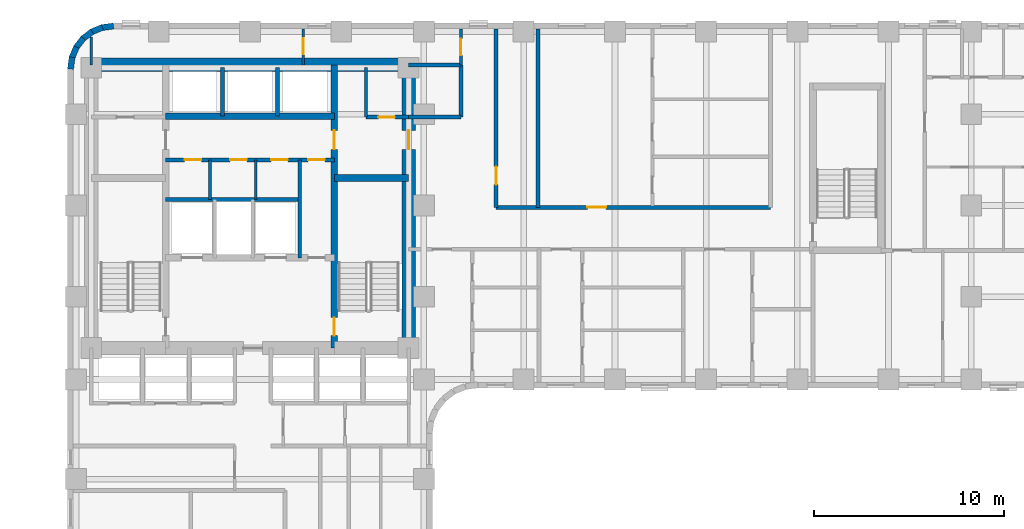
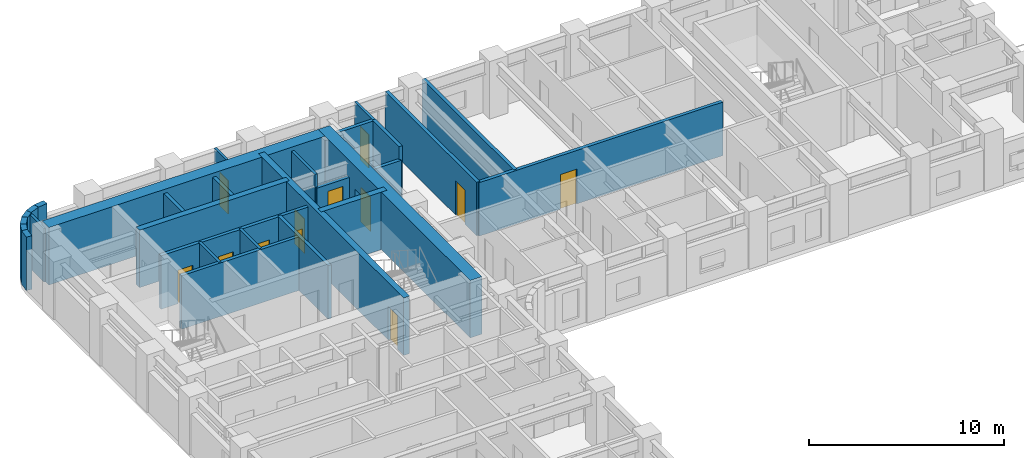
# One storey, part 6 of 11: 29 walls, 12 doors, 12 openings.
"""IFC4 building model written with IfcOpenShell, lengths in metres."""

from ifc_helpers import new_model, si_unit, direction, frame, frame_2d, origin, place, context, subcontext, project, spatial, rectangle, extrude, material, layer, layer_set, type_object, element, fill, save


model = new_model("IFC4")

# Units and contexts
model_context = context("Model", 3, precision=1e-05, world=origin(), true_north=direction((0.0, 1.0)))
body_context = subcontext(model_context, "Body", "Model", "MODEL_VIEW")
ifc_project = project(units=[si_unit("LENGTHUNIT", "METRE"), si_unit("AREAUNIT", "SQUARE_METRE"), si_unit("VOLUMEUNIT", "CUBIC_METRE"), si_unit("PLANEANGLEUNIT", "RADIAN"), si_unit("MASSUNIT", "GRAM", prefix="KILO")], contexts=[model_context])

# Site, building, storey
site_placement = place(None, origin())
site = spatial("IfcSite", under=ifc_project, at=site_placement, CompositionType="ELEMENT")
building_placement = place(site_placement, origin())
building = spatial("IfcBuilding", under=site, at=building_placement, Name="Orvandelia Arch Residences", CompositionType="ELEMENT")
storey_placement = place(building_placement, frame((0.0, 0.0, 53.800048828125)))
storey = spatial("IfcBuildingStorey", under=building, at=storey_placement, Name="L13", CompositionType="ELEMENT", Elevation=53.800048828125)

# Wall, openings, doors
ifc_material_1 = material(Name="Concrete C50/60", Category="concrete")
ifc_layer_1 = layer(ifc_material_1, 0.35009765625, Name="Concrete C50/60", Category="concrete")
ifc_layer_set_1 = layer_set([ifc_layer_1], Name="Concrete C50/60")
wall_type_1 = type_object("IfcWallType", Name="WL-CORE-350", PredefinedType="SHEAR", material=ifc_layer_set_1)
wall_1_placement = place(storey_placement, frame((18.840087890625, 30.89990234375, 0.0), z_axis=(0.0, 0.0, 1.0), x_axis=(0.0, 1.0, 0.0)))
wall_1 = element("IfcWall", 1, at=wall_1_placement, inside=storey, type_object=wall_type_1, Name="Core Shear Wall L13-WEB2", PredefinedType="SHEAR", context=body_context, shape_type="SweptSolid", body=[
    extrude(rectangle(XDim=14.900146484375, YDim=0.35009765625, at=frame_2d((7.4501953125, 0.0))), origin(), (0.0, 0.0, 1.0), 3.599853515625),
])
opening_1_placement = place(wall_1_placement, frame((0.64990234375, 0.0, 0.0)))
opening_1 = element("IfcOpeningElement", 2, at=opening_1_placement, cuts=wall_1, Name="Opening D7", PredefinedType="OPENING", context=body_context, shape_type="SweptSolid", body=[
    extrude(rectangle(XDim=0.949951171875, YDim=2.10009765625, at=frame_2d((0.47509765625, 1.050048828125))), frame((0.0, 0.18505859375, 0.0), z_axis=(0.0, -1.0, 0.0), x_axis=(1.0, 0.0, 0.0)), (0.0, 0.0, 1.0), 0.3701171875),
])
opening_2_placement = place(wall_1_placement, frame((10.449951171875, 0.0, 0.0)))
opening_2 = element("IfcOpeningElement", 3, at=opening_2_placement, cuts=wall_1, Name="Opening D6", PredefinedType="OPENING", context=body_context, shape_type="SweptSolid", body=[
    extrude(rectangle(XDim=1.0, YDim=2.14990234375, at=frame_2d((0.5, 1.074951171875))), frame((0.0, 0.18505859375, 0.0), z_axis=(0.0, -1.0, 0.0), x_axis=(1.0, 0.0, 0.0)), (0.0, 0.0, 1.0), 0.3701171875),
])
ifc_material_2 = material(Name="Smokeproof Painted Steel Fire Door", Category="steel")
door_type_1 = type_object("IfcDoorType", Name="DR-FD60-1000", OperationType="NOTDEFINED", PredefinedType="DOOR", material=ifc_material_2)
door_1_placement = place(opening_2_placement, origin())
door_1 = element("IfcDoor", 4, at=door_1_placement, inside=storey, type_object=door_type_1, Name="High-Rise Lift Hall East Vestibule Door L13", OperationType="SINGLE_SWING_RIGHT", OverallHeight=2.14990234375, OverallWidth=1.0, PredefinedType="DOOR", context=body_context, shape_type="SweptSolid", body=[
    extrude(rectangle(XDim=1.0, YDim=2.14990234375, at=frame_2d((0.5, 1.074951171875))), frame((0.0, 0.02490234375, 0.0), z_axis=(0.0, -1.0, 0.0), x_axis=(1.0, 0.0, 0.0)), (0.0, 0.0, 1.0), 0.050048828125),
])
fill(opening_2, door_1)
ifc_material_3 = material(Name="Pressurised Stairwell Fire Door")
door_type_2 = type_object("IfcDoorType", Name="DR-STAIR-950", OperationType="NOTDEFINED", PredefinedType="DOOR", material=ifc_material_3)
door_2_placement = place(opening_1_placement, origin())
door_2 = element("IfcDoor", 5, at=door_2_placement, inside=storey, type_object=door_type_2, Name="Stairwell ST-2 Fire Door L13", OperationType="SINGLE_SWING_RIGHT", OverallHeight=2.10009765625, OverallWidth=0.949951171875, PredefinedType="DOOR", context=body_context, shape_type="SweptSolid", body=[
    extrude(rectangle(XDim=0.949951171875, YDim=2.10009765625, at=frame_2d((0.47509765625, 1.050048828125))), frame((0.0, 0.02490234375, 0.0), z_axis=(0.0, -1.0, 0.0), x_axis=(1.0, 0.0, 0.0)), (0.0, 0.0, 1.0), 0.050048828125),
])
fill(opening_1, door_2)

# Walls
wall_2_placement = place(storey_placement, frame((18.840087890625, 39.85009765625, 0.0), z_axis=(0.0, 0.0, 1.0), x_axis=(1.0, 0.0, 0.0)))
element("IfcWall", 6, at=wall_2_placement, inside=storey, type_object=wall_type_1, Name="Core Shear Wall L13-HZ2", PredefinedType="SHEAR", context=body_context, shape_type="SweptSolid", body=[
    extrude(rectangle(XDim=3.909912109375, YDim=0.35009765625, at=frame_2d((1.955078125, 0.0))), origin(), (0.0, 0.0, 1.0), 3.599853515625),
])
wall_3_placement = place(storey_placement, frame((9.9599609375, 43.10009765625, 0.0), z_axis=(0.0, 0.0, 1.0), x_axis=(1.0, 0.0, 0.0)))
element("IfcWall", 7, at=wall_3_placement, inside=storey, type_object=wall_type_1, Name="Core Shear Wall L13-HZ4", PredefinedType="SHEAR", context=body_context, shape_type="SweptSolid", body=[
    extrude(rectangle(XDim=8.880126953125, YDim=0.35009765625, at=frame_2d((4.43994140625, 0.0))), origin(), (0.0, 0.0, 1.0), 3.599853515625),
])

# Wall, opening, door
ifc_material_4 = material(Name="Concrete C80/95", Category="concrete")
ifc_layer_2 = layer(ifc_material_4, 0.699951171875, Name="Concrete C80/95", Category="concrete")
ifc_layer_set_2 = layer_set([ifc_layer_2], Name="Concrete C80/95")
wall_type_2 = type_object("IfcWallType", Name="WL-CORE-700", PredefinedType="SHEAR", material=ifc_layer_set_2)
wall_4_placement = place(storey_placement, frame((22.75, 30.550048828125, 0.0), z_axis=(0.0, 0.0, 1.0), x_axis=(0.0, 1.0, 0.0)))
wall_4 = element("IfcWall", 8, at=wall_4_placement, inside=storey, type_object=wall_type_2, Name="Core Shear Wall L13-E", PredefinedType="SHEAR", context=body_context, shape_type="SweptSolid", body=[
    extrude(rectangle(XDim=15.599853515625, YDim=0.699951171875, at=frame_2d((7.7998046875, 0.0))), origin(), (0.0, 0.0, 1.0), 3.599853515625),
])
opening_3_placement = place(wall_4_placement, frame((10.800048828125, 0.0, 0.0)))
opening_3 = element("IfcOpeningElement", 9, at=opening_3_placement, cuts=wall_4, Name="Opening D6", PredefinedType="OPENING", context=body_context, shape_type="SweptSolid", body=[
    extrude(rectangle(XDim=1.0, YDim=2.14990234375, at=frame_2d((0.5, 1.074951171875))), frame((0.0, 0.35986328125, 0.0), z_axis=(0.0, -1.0, 0.0), x_axis=(1.0, 0.0, 0.0)), (0.0, 0.0, 1.0), 0.719970703125),
])
door_3_placement = place(opening_3_placement, origin())
door_3 = element("IfcDoor", 10, at=door_3_placement, inside=storey, type_object=door_type_1, Name="Core East Corridor Link Door L13", OperationType="SINGLE_SWING_LEFT", OverallHeight=2.14990234375, OverallWidth=1.0, PredefinedType="DOOR", context=body_context, shape_type="SweptSolid", body=[
    extrude(rectangle(XDim=1.0, YDim=2.14990234375, at=frame_2d((0.5, 1.074951171875))), frame((0.0, 0.02490234375, 0.0), z_axis=(0.0, -1.0, 0.0), x_axis=(1.0, 0.0, 0.0)), (0.0, 0.0, 1.0), 0.050048828125),
])
fill(opening_3, door_3)

# Walls
wall_5_placement = place(storey_placement, frame((6.050048828125, 45.800048828125, 0.0), z_axis=(0.0, 0.0, 1.0), x_axis=(1.0, 0.0, 0.0)))
element("IfcWall", 11, at=wall_5_placement, inside=storey, type_object=wall_type_2, Name="Core Shear Wall L13-N", PredefinedType="SHEAR", context=body_context, shape_type="SweptSolid", body=[
    extrude(rectangle(XDim=16.699951171875, YDim=0.699951171875, at=frame_2d((8.35009765625, 0.0))), origin(), (0.0, 0.0, 1.0), 3.599853515625),
])
ifc_material_5 = material(Name="Fire-Rated Corridor Partition")
ifc_layer_3 = layer(ifc_material_5, 0.199951171875, Name="Fire-Rated Corridor Partition")
ifc_layer_set_3 = layer_set([ifc_layer_3], Name="Fire-Rated Corridor Partition")
wall_type_3 = type_object("IfcWallType", Name="WL-CORR-200", PredefinedType="PARTITIONING", material=ifc_layer_set_3)
wall_6_placement = place(storey_placement, frame((22.75, 45.800048828125, 0.0), z_axis=(0.0, 0.0, 1.0), x_axis=(1.0, 0.0, 0.0)))
element("IfcWall", 12, at=wall_6_placement, inside=storey, type_object=wall_type_3, Name="Interior Partition Wall WL-L13-NCE-S", PredefinedType="PARTITIONING", context=body_context, shape_type="SweptSolid", body=[
    extrude(rectangle(XDim=2.75, YDim=0.199951171875, at=frame_2d((1.375, 0.0))), origin(), (0.0, 0.0, 1.0), 3.349853515625),
])

# Wall, opening, door
wall_7_placement = place(storey_placement, frame((27.35009765625, 38.300048828125, 0.0), z_axis=(0.0, 0.0, 1.0), x_axis=(1.0, 0.0, 0.0)))
wall_7 = element("IfcWall", 13, at=wall_7_placement, inside=storey, type_object=wall_type_3, Name="Interior Partition Wall WL-L13-EM-N", PredefinedType="PARTITIONING", context=body_context, shape_type="SweptSolid", body=[
    extrude(rectangle(XDim=14.429931640625, YDim=0.199951171875, at=frame_2d((7.21484375, 0.0))), origin(), (0.0, 0.0, 1.0), 3.349853515625),
])
opening_4_placement = place(wall_7_placement, frame((4.803466796875, 0.0, 0.0)))
opening_4 = element("IfcOpeningElement", 14, at=opening_4_placement, cuts=wall_7, Name="Opening D1", PredefinedType="OPENING", context=body_context, shape_type="SweptSolid", body=[
    extrude(rectangle(XDim=0.97998046875, YDim=2.179931640625, at=frame_2d((0.489990234375, 1.08984375))), frame((0.0, 0.10986328125, 0.0), z_axis=(0.0, -1.0, 0.0), x_axis=(1.0, 0.0, 0.0)), (0.0, 0.0, 1.0), 0.219970703125),
])
ifc_material_6 = material(Name="Solid-Core Timber Acoustic Fire Door", Category="wood")
door_type_3 = type_object("IfcDoorType", Name="DR-ENT-980", OperationType="NOTDEFINED", PredefinedType="DOOR", material=ifc_material_6)
door_4_placement = place(opening_4_placement, origin())
door_4 = element("IfcDoor", 15, at=door_4_placement, inside=storey, type_object=door_type_3, Name="Unit L13-09 Entrance Door", OperationType="SINGLE_SWING_LEFT", OverallHeight=2.179931640625, OverallWidth=0.97998046875, PredefinedType="DOOR", context=body_context, shape_type="SweptSolid", body=[
    extrude(rectangle(XDim=0.97998046875, YDim=2.179931640625, at=frame_2d((0.489990234375, 1.08984375))), frame((0.0, 0.02490234375, 0.0), z_axis=(0.0, -1.0, 0.0), x_axis=(1.0, 0.0, 0.0)), (0.0, 0.0, 1.0), 0.050048828125),
])
fill(opening_4, door_4)

wall_8_placement = place(storey_placement, frame((27.35009765625, 38.300048828125, 0.0), z_axis=(0.0, 0.0, 1.0), x_axis=(0.0, 1.0, 0.0)))
wall_8 = element("IfcWall", 16, at=wall_8_placement, inside=storey, type_object=wall_type_3, Name="Interior Partition Wall WL-L13-EM-NCE", PredefinedType="PARTITIONING", context=body_context, shape_type="SweptSolid", body=[
    extrude(rectangle(XDim=9.3798828125, YDim=0.199951171875, at=frame_2d((4.68994140625, 0.0))), origin(), (0.0, 0.0, 1.0), 3.349853515625),
])
opening_5_placement = place(wall_8_placement, frame((1.199951171875, 0.0, 0.0)))
opening_5 = element("IfcOpeningElement", 17, at=opening_5_placement, cuts=wall_8, Name="Opening D2", PredefinedType="OPENING", context=body_context, shape_type="SweptSolid", body=[
    extrude(rectangle(XDim=0.949951171875, YDim=2.14990234375, at=frame_2d((0.47509765625, 1.074951171875))), frame((0.0, 0.10986328125, 0.0), z_axis=(0.0, -1.0, 0.0), x_axis=(1.0, 0.0, 0.0)), (0.0, 0.0, 1.0), 0.219970703125),
])
ifc_material_7 = material(Name="Solid-Core Timber Interior Fire Door", Category="wood")
door_type_4 = type_object("IfcDoorType", Name="DR-APT-950", OperationType="NOTDEFINED", PredefinedType="DOOR", material=ifc_material_7)
door_5_placement = place(opening_5_placement, origin())
door_5 = element("IfcDoor", 18, at=door_5_placement, inside=storey, type_object=door_type_4, Name="DR-L13-LDY", OperationType="SINGLE_SWING_RIGHT", OverallHeight=2.14990234375, OverallWidth=0.949951171875, PredefinedType="DOOR", context=body_context, shape_type="SweptSolid", body=[
    extrude(rectangle(XDim=0.949951171875, YDim=2.14990234375, at=frame_2d((0.47509765625, 1.074951171875))), frame((0.0, 0.02490234375, 0.0), z_axis=(0.0, -1.0, 0.0), x_axis=(1.0, 0.0, 0.0)), (0.0, 0.0, 1.0), 0.050048828125),
])
fill(opening_5, door_5)

# Walls
wall_9_placement = place(storey_placement, frame((22.75, 43.050048828125, 0.0), z_axis=(0.0, 0.0, 1.0), x_axis=(1.0, 0.0, 0.0)))
element("IfcWall", 19, at=wall_9_placement, inside=storey, type_object=wall_type_3, Name="Interior Partition Wall WL-L13-EM-LS", PredefinedType="PARTITIONING", context=body_context, shape_type="SweptSolid", body=[
    extrude(rectangle(XDim=2.75, YDim=0.199951171875, at=frame_2d((1.375, 0.0))), origin(), (0.0, 0.0, 1.0), 2.530029296875),
])
wall_10_placement = place(storey_placement, frame((25.5, 43.050048828125, 0.0), z_axis=(0.0, 0.0, 1.0), x_axis=(0.0, 1.0, 0.0)))
element("IfcWall", 20, at=wall_10_placement, inside=storey, type_object=wall_type_3, Name="Interior Partition Wall WL-L13-EM-LW2", PredefinedType="PARTITIONING", context=body_context, shape_type="SweptSolid", body=[
    extrude(rectangle(XDim=2.75, YDim=0.199951171875, at=frame_2d((1.375, 0.0))), origin(), (0.0, 0.0, 1.0), 3.349853515625),
])
ifc_material_8 = material(Name="Concrete C40/50", Category="concrete")
ifc_layer_4 = layer(ifc_material_8, 0.199951171875, Name="Concrete C40/50", Category="concrete")
ifc_layer_set_4 = layer_set([ifc_layer_4], Name="Concrete C40/50")
wall_type_4 = type_object("IfcWallType", Name="WL-DEM-200", PredefinedType="SOLIDWALL", material=ifc_layer_set_4)
wall_11_placement = place(storey_placement, frame((29.550048828125, 38.300048828125, 0.0), z_axis=(0.0, 0.0, 1.0), x_axis=(0.0, 1.0, 0.0)))
element("IfcWall", 21, at=wall_11_placement, inside=storey, type_object=wall_type_4, Name="Interior Partition Wall WL-L13-EM-LDE", PredefinedType="SOLIDWALL", context=body_context, shape_type="SweptSolid", body=[
    extrude(rectangle(XDim=9.3798828125, YDim=0.199951171875, at=frame_2d((4.68994140625, 0.0))), origin(), (0.0, 0.0, 1.0), 3.349853515625),
])
ifc_material_9 = material(Name="Precast concrete C40/50", Category="concrete")
ifc_layer_5 = layer(ifc_material_9, 0.320068359375, Name="Precast concrete C40/50", Category="concrete")
ifc_layer_set_5 = layer_set([ifc_layer_5], Name="Precast concrete C40/50")
wall_type_5 = type_object("IfcWallType", Name="WL-EXT-STONE-320", PredefinedType="STANDARD", material=ifc_layer_set_5)
for number, where, z_axis, x_axis, name in (
    (22, (4.95849609375, 45.5791015625, 0.0), (0.0, 0.0, 1.0), (0.130555323746, 0.9914410257, 0.0), "Coral-Limestone Precast Facade Wall L13-001"),
    (23, (5.029541015625, 46.159912109375, 0.0), (0.0, 0.0, 1.0), (0.382650053678, 0.92389335771, 0.0), "Coral-Limestone Precast Facade Wall L13-002"),
):
    element("IfcWall", number, at=place(storey_placement, frame(where, z_axis=z_axis, x_axis=x_axis)), inside=storey, type_object=wall_type_5, Name=name, PredefinedType="STANDARD", context=body_context, shape_type="SweptSolid", body=[
        extrude(rectangle(XDim=0.62646484375, YDim=0.320068359375, at=frame_2d((0.313232421875, 0.0))), origin(), (0.0, 0.0, 1.0), 3.349853515625),
    ])
wall_12_placement = place(storey_placement, frame((5.248291015625, 46.70263671875, 0.0), z_axis=(0.0, 0.0, 1.0), x_axis=(0.608938521285, 0.7932174212, 0.0)))
element("IfcWall", 24, at=wall_12_placement, inside=storey, type_object=wall_type_5, Name="Coral-Limestone Precast Facade Wall L13-003", PredefinedType="STANDARD", context=body_context, shape_type="SweptSolid", body=[
    extrude(rectangle(XDim=0.626708984375, YDim=0.320068359375, at=frame_2d((0.3134765625, 0.0))), origin(), (0.0, 0.0, 1.0), 3.349853515625),
])
wall_13_placement = place(storey_placement, frame((5.600341796875, 47.170166015625, 0.0), z_axis=(0.0, 0.0, 1.0), x_axis=(0.793405610854, 0.608693302629, 0.0)))
element("IfcWall", 25, at=wall_13_placement, inside=storey, type_object=wall_type_5, Name="Coral-Limestone Precast Facade Wall L13-004", PredefinedType="STANDARD", context=body_context, shape_type="SweptSolid", body=[
    extrude(rectangle(XDim=0.62646484375, YDim=0.320068359375, at=frame_2d((0.313232421875, 0.0))), origin(), (0.0, 0.0, 1.0), 3.349853515625),
])
wall_14_placement = place(storey_placement, frame((6.061279296875, 47.53076171875, 0.0), z_axis=(0.0, 0.0, 1.0), x_axis=(0.923836271867, 0.382787856107, 0.0)))
element("IfcWall", 26, at=wall_14_placement, inside=storey, type_object=wall_type_5, Name="Coral-Limestone Precast Facade Wall L13-005", PredefinedType="STANDARD", context=body_context, shape_type="SweptSolid", body=[
    extrude(rectangle(XDim=0.626220703125, YDim=0.320068359375, at=frame_2d((0.31298828125, 0.0))), origin(), (0.0, 0.0, 1.0), 3.349853515625),
])
wall_15_placement = place(storey_placement, frame((6.599609375, 47.759521484375, 0.0), z_axis=(0.0, 0.0, 1.0), x_axis=(0.991447664465, 0.130504898859, 0.0)))
element("IfcWall", 27, at=wall_15_placement, inside=storey, type_object=wall_type_5, Name="Coral-Limestone Precast Facade Wall L13-006", PredefinedType="STANDARD", context=body_context, shape_type="SweptSolid", body=[
    extrude(rectangle(XDim=0.626708984375, YDim=0.320068359375, at=frame_2d((0.3134765625, 0.0))), origin(), (0.0, 0.0, 1.0), 3.349853515625),
])
ifc_material_10 = material(Name="Acoustic Gypsum Stud Partition")
ifc_layer_6 = layer(ifc_material_10, 0.14990234375, Name="Acoustic Gypsum Stud Partition")
ifc_layer_set_6 = layer_set([ifc_layer_6], Name="Acoustic Gypsum Stud Partition")
wall_type_6 = type_object("IfcWallType", Name="WL-PART-150", PredefinedType="PARTITIONING", material=ifc_layer_set_6)
for number, where, z_axis, x_axis, name in (
    (28, (12.300048828125, 38.719970703125, 0.0), (0.0, 0.0, 1.0), (0.0, 1.0, 0.0), "Interior Partition Wall WL-L13-CSA-1"),
    (29, (14.699951171875, 38.719970703125, 0.0), (0.0, 0.0, 1.0), (0.0, 1.0, 0.0), "Interior Partition Wall WL-L13-CSA-2"),
):
    element("IfcWall", number, at=place(storey_placement, frame(where, z_axis=z_axis, x_axis=x_axis)), inside=storey, type_object=wall_type_6, Name=name, PredefinedType="PARTITIONING", context=body_context, shape_type="SweptSolid", body=[
        extrude(rectangle(XDim=2.080078125, YDim=0.14990234375, at=frame_2d((1.0400390625, 0.0))), origin(), (0.0, 0.0, 1.0), 3.349853515625),
    ])
wall_16_placement = place(storey_placement, frame((20.5, 43.050048828125, 0.0), z_axis=(0.0, 0.0, 1.0), x_axis=(0.0, 1.0, 0.0)))
element("IfcWall", 30, at=wall_16_placement, inside=storey, type_object=wall_type_6, Name="Interior Partition Wall WL-L13-CSB-2W", PredefinedType="PARTITIONING", context=body_context, shape_type="SweptSolid", body=[
    extrude(rectangle(XDim=2.599853515625, YDim=0.14990234375, at=frame_2d((1.2998046875, 0.0))), origin(), (0.0, 0.0, 1.0), 3.349853515625),
])

# Wall, opening, door
wall_17_placement = place(storey_placement, frame((25.5, 45.800048828125, 0.0), z_axis=(0.0, 0.0, 1.0), x_axis=(0.0, 1.0, 0.0)))
wall_17 = element("IfcWall", 31, at=wall_17_placement, inside=storey, type_object=wall_type_6, Name="Interior Partition Wall WL-L13-NCE-W", PredefinedType="PARTITIONING", context=body_context, shape_type="SweptSolid", body=[
    extrude(rectangle(XDim=1.8798828125, YDim=0.14990234375, at=frame_2d((0.93994140625, 0.0))), origin(), (0.0, 0.0, 1.0), 3.349853515625),
])
opening_6_placement = place(wall_17_placement, frame((0.5, 0.0, 0.0)))
opening_6 = element("IfcOpeningElement", 32, at=opening_6_placement, cuts=wall_17, Name="Opening D5", PredefinedType="OPENING", context=body_context, shape_type="SweptSolid", body=[
    extrude(rectangle(XDim=0.8798828125, YDim=2.10009765625, at=frame_2d((0.43994140625, 1.050048828125))), frame((0.0, 0.0849609375, 0.0), z_axis=(0.0, -1.0, 0.0), x_axis=(1.0, 0.0, 0.0)), (0.0, 0.0, 1.0), 0.169921875),
])
ifc_material_11 = material(Name="Painted Galvanised Steel Service Door", Category="steel")
door_type_5 = type_object("IfcDoorType", Name="DR-SRV-880", OperationType="NOTDEFINED", PredefinedType="DOOR", material=ifc_material_11)
door_6_placement = place(opening_6_placement, origin())
door_6 = element("IfcDoor", 33, at=door_6_placement, inside=storey, type_object=door_type_5, Name="DR-L13-NCS2", OperationType="SINGLE_SWING_LEFT", OverallHeight=2.10009765625, OverallWidth=0.8798828125, PredefinedType="DOOR", context=body_context, shape_type="SweptSolid", body=[
    extrude(rectangle(XDim=0.8798828125, YDim=2.10009765625, at=frame_2d((0.43994140625, 1.050048828125))), frame((0.0, 0.02490234375, 0.0), z_axis=(0.0, -1.0, 0.0), x_axis=(1.0, 0.0, 0.0)), (0.0, 0.0, 1.0), 0.050048828125),
])
fill(opening_6, door_6)

# Wall
wall_18_placement = place(storey_placement, frame((6.050048828125, 45.800048828125, 0.0), z_axis=(0.0, 0.0, 1.0), x_axis=(0.0, 1.0, 0.0)))
element("IfcWall", 34, at=wall_18_placement, inside=storey, type_object=wall_type_6, Name="Interior Partition Wall WL-L13-NC-W6", PredefinedType="PARTITIONING", context=body_context, shape_type="SweptSolid", body=[
    extrude(rectangle(XDim=1.4599609375, YDim=0.14990234375, at=frame_2d((0.72998046875, 0.0))), origin(), (0.0, 0.0, 1.0), 3.349853515625),
])

# Wall, opening, door
wall_19_placement = place(storey_placement, frame((17.199951171875, 45.800048828125, 0.0), z_axis=(0.0, 0.0, 1.0), x_axis=(0.0, 1.0, 0.0)))
wall_19 = element("IfcWall", 35, at=wall_19_placement, inside=storey, type_object=wall_type_6, Name="Interior Partition Wall WL-L13-NC-M", PredefinedType="PARTITIONING", context=body_context, shape_type="SweptSolid", body=[
    extrude(rectangle(XDim=1.8798828125, YDim=0.14990234375, at=frame_2d((0.93994140625, 0.0))), origin(), (0.0, 0.0, 1.0), 3.349853515625),
])
opening_7_placement = place(wall_19_placement, frame((0.550048828125, 0.0, 0.0)))
opening_7 = element("IfcOpeningElement", 36, at=opening_7_placement, cuts=wall_19, Name="Opening D4", PredefinedType="OPENING", context=body_context, shape_type="SweptSolid", body=[
    extrude(rectangle(XDim=0.860107421875, YDim=2.10009765625, at=frame_2d((0.43017578125, 1.050048828125))), frame((0.0, 0.0849609375, 0.0), z_axis=(0.0, -1.0, 0.0), x_axis=(1.0, 0.0, 0.0)), (0.0, 0.0, 1.0), 0.169921875),
])
ifc_material_12 = material(Name="Moisture-Sealed Timber Bathroom Door", Category="wood")
door_type_6 = type_object("IfcDoorType", Name="DR-WET-900", OperationType="NOTDEFINED", PredefinedType="DOOR", material=ifc_material_12)
door_7_placement = place(opening_7_placement, origin())
door_7 = element("IfcDoor", 37, at=door_7_placement, inside=storey, type_object=door_type_6, Name="DR-L13-NCS1", OperationType="SINGLE_SWING_LEFT", OverallHeight=2.10009765625, OverallWidth=0.860107421875, PredefinedType="DOOR", context=body_context, shape_type="SweptSolid", body=[
    extrude(rectangle(XDim=0.860107421875, YDim=2.10009765625, at=frame_2d((0.43017578125, 1.050048828125))), frame((0.0, 0.02490234375, 0.0), z_axis=(0.0, -1.0, 0.0), x_axis=(1.0, 0.0, 0.0)), (0.0, 0.0, 1.0), 0.050048828125),
])
fill(opening_7, door_7)

# Walls
ifc_material_13 = material(Name="Fire-Rated Shaft Enclosure Wall")
ifc_layer_7 = layer(ifc_material_13, 0.199951171875, Name="Fire-Rated Shaft Enclosure Wall")
ifc_layer_set_7 = layer_set([ifc_layer_7], Name="Fire-Rated Shaft Enclosure Wall")
wall_type_7 = type_object("IfcWallType", Name="WL-SHAFT-200", PredefinedType="POLYGONAL", material=ifc_layer_set_7)
wall_20_placement = place(storey_placement, frame((9.9599609375, 38.719970703125, 0.0), z_axis=(0.0, 0.0, 1.0), x_axis=(1.0, 0.0, 0.0)))
element("IfcWall", 38, at=wall_20_placement, inside=storey, type_object=wall_type_7, Name="Interior Partition Wall WL-L13-FLN", PredefinedType="POLYGONAL", context=body_context, shape_type="SweptSolid", body=[
    extrude(rectangle(XDim=7.06005859375, YDim=0.199951171875, at=frame_2d((3.530029296875, 0.0))), origin(), (0.0, 0.0, 1.0), 3.349853515625),
])
wall_21_placement = place(storey_placement, frame((17.02001953125, 35.64990234375, 0.0), z_axis=(0.0, 0.0, 1.0), x_axis=(0.0, 1.0, 0.0)))
element("IfcWall", 39, at=wall_21_placement, inside=storey, type_object=wall_type_7, Name="Interior Partition Wall WL-L13-FLM3", PredefinedType="POLYGONAL", context=body_context, shape_type="SweptSolid", body=[
    extrude(rectangle(XDim=5.150146484375, YDim=0.199951171875, at=frame_2d((2.5751953125, 0.0))), origin(), (0.0, 0.0, 1.0), 3.349853515625),
])

# Wall, openings, doors
wall_22_placement = place(storey_placement, frame((9.9599609375, 40.800048828125, 0.0), z_axis=(0.0, 0.0, 1.0), x_axis=(1.0, 0.0, 0.0)))
wall_22 = element("IfcWall", 40, at=wall_22_placement, inside=storey, type_object=wall_type_7, Name="Interior Partition Wall WL-L13-HLH-S", PredefinedType="POLYGONAL", context=body_context, shape_type="SweptSolid", body=[
    extrude(rectangle(XDim=8.880126953125, YDim=0.199951171875, at=frame_2d((4.43994140625, 0.0))), origin(), (0.0, 0.0, 1.0), 3.349853515625),
])
opening_8_placement = place(wall_22_placement, frame((7.5, 0.0, 0.0)))
opening_8 = element("IfcOpeningElement", 41, at=opening_8_placement, cuts=wall_22, Name="Opening D5", PredefinedType="OPENING", context=body_context, shape_type="SweptSolid", body=[
    extrude(rectangle(XDim=0.8798828125, YDim=2.10009765625, at=frame_2d((0.43994140625, 1.050048828125))), frame((0.0, 0.10986328125, 0.0), z_axis=(0.0, -1.0, 0.0), x_axis=(1.0, 0.0, 0.0)), (0.0, 0.0, 1.0), 0.219970703125),
])
opening_9_placement = place(wall_22_placement, frame((1.0, 0.0, 0.0)))
opening_9 = element("IfcOpeningElement", 42, at=opening_9_placement, cuts=wall_22, Name="Opening D5", PredefinedType="OPENING", context=body_context, shape_type="SweptSolid", body=[
    extrude(rectangle(XDim=0.8798828125, YDim=2.10009765625, at=frame_2d((0.43994140625, 1.050048828125))), frame((0.0, 0.10986328125, 0.0), z_axis=(0.0, -1.0, 0.0), x_axis=(1.0, 0.0, 0.0)), (0.0, 0.0, 1.0), 0.219970703125),
])
opening_10_placement = place(wall_22_placement, frame((3.39990234375, 0.0, 0.0)))
opening_10 = element("IfcOpeningElement", 43, at=opening_10_placement, cuts=wall_22, Name="Opening D5", PredefinedType="OPENING", context=body_context, shape_type="SweptSolid", body=[
    extrude(rectangle(XDim=0.8798828125, YDim=2.10009765625, at=frame_2d((0.43994140625, 1.050048828125))), frame((0.0, 0.10986328125, 0.0), z_axis=(0.0, -1.0, 0.0), x_axis=(1.0, 0.0, 0.0)), (0.0, 0.0, 1.0), 0.219970703125),
])
opening_11_placement = place(wall_22_placement, frame((5.550048828125, 0.0, 0.0)))
opening_11 = element("IfcOpeningElement", 44, at=opening_11_placement, cuts=wall_22, Name="Opening D5", PredefinedType="OPENING", context=body_context, shape_type="SweptSolid", body=[
    extrude(rectangle(XDim=0.8798828125, YDim=2.10009765625, at=frame_2d((0.43994140625, 1.050048828125))), frame((0.0, 0.10986328125, 0.0), z_axis=(0.0, -1.0, 0.0), x_axis=(1.0, 0.0, 0.0)), (0.0, 0.0, 1.0), 0.219970703125),
])
door_8_placement = place(opening_8_placement, origin())
door_8 = element("IfcDoor", 45, at=door_8_placement, inside=storey, type_object=door_type_5, Name="Core Stairway Passage North Fire Door L13", OperationType="SINGLE_SWING_RIGHT", OverallHeight=2.10009765625, OverallWidth=0.8798828125, PredefinedType="DOOR", context=body_context, shape_type="SweptSolid", body=[
    extrude(rectangle(XDim=0.8798828125, YDim=2.10009765625, at=frame_2d((0.43994140625, 1.050048828125))), frame((0.0, 0.02490234375, 0.0), z_axis=(0.0, -1.0, 0.0), x_axis=(1.0, 0.0, 0.0)), (0.0, 0.0, 1.0), 0.050048828125),
])
fill(opening_8, door_8)
door_9_placement = place(opening_9_placement, origin())
door_9 = element("IfcDoor", 46, at=door_9_placement, inside=storey, type_object=door_type_5, Name="DR-L13-CSA1", OperationType="SINGLE_SWING_LEFT", OverallHeight=2.10009765625, OverallWidth=0.8798828125, PredefinedType="DOOR", context=body_context, shape_type="SweptSolid", body=[
    extrude(rectangle(XDim=0.8798828125, YDim=2.10009765625, at=frame_2d((0.43994140625, 1.050048828125))), frame((0.0, 0.02490234375, 0.0), z_axis=(0.0, -1.0, 0.0), x_axis=(1.0, 0.0, 0.0)), (0.0, 0.0, 1.0), 0.050048828125),
])
fill(opening_9, door_9)
door_10_placement = place(opening_10_placement, origin())
door_10 = element("IfcDoor", 47, at=door_10_placement, inside=storey, type_object=door_type_5, Name="DR-L13-CSA2", OperationType="SINGLE_SWING_RIGHT", OverallHeight=2.10009765625, OverallWidth=0.8798828125, PredefinedType="DOOR", context=body_context, shape_type="SweptSolid", body=[
    extrude(rectangle(XDim=0.8798828125, YDim=2.10009765625, at=frame_2d((0.43994140625, 1.050048828125))), frame((0.0, 0.02490234375, 0.0), z_axis=(0.0, -1.0, 0.0), x_axis=(1.0, 0.0, 0.0)), (0.0, 0.0, 1.0), 0.050048828125),
])
fill(opening_10, door_10)
door_11_placement = place(opening_11_placement, origin())
door_11 = element("IfcDoor", 48, at=door_11_placement, inside=storey, type_object=door_type_5, Name="DR-L13-CSA3", OperationType="SINGLE_SWING_LEFT", OverallHeight=2.10009765625, OverallWidth=0.8798828125, PredefinedType="DOOR", context=body_context, shape_type="SweptSolid", body=[
    extrude(rectangle(XDim=0.8798828125, YDim=2.10009765625, at=frame_2d((0.43994140625, 1.050048828125))), frame((0.0, 0.02490234375, 0.0), z_axis=(0.0, -1.0, 0.0), x_axis=(1.0, 0.0, 0.0)), (0.0, 0.0, 1.0), 0.050048828125),
])
fill(opening_11, door_11)

# Wall, opening, door
wall_23_placement = place(storey_placement, frame((20.5, 43.050048828125, 0.0), z_axis=(0.0, 0.0, 1.0), x_axis=(1.0, 0.0, 0.0)))
wall_23 = element("IfcWall", 49, at=wall_23_placement, inside=storey, type_object=wall_type_7, Name="Interior Partition Wall WL-L13-HLE-N", PredefinedType="POLYGONAL", context=body_context, shape_type="SweptSolid", body=[
    extrude(rectangle(XDim=2.25, YDim=0.199951171875, at=frame_2d((1.125, 0.0))), origin(), (0.0, 0.0, 1.0), 2.530029296875),
])
opening_12_placement = place(wall_23_placement, frame((0.64990234375, 0.0, 0.0)))
opening_12 = element("IfcOpeningElement", 50, at=opening_12_placement, cuts=wall_23, Name="Opening D5", PredefinedType="OPENING", context=body_context, shape_type="SweptSolid", body=[
    extrude(rectangle(XDim=0.8798828125, YDim=2.10009765625, at=frame_2d((0.43994140625, 1.050048828125))), frame((0.0, 0.10986328125, 0.0), z_axis=(0.0, -1.0, 0.0), x_axis=(1.0, 0.0, 0.0)), (0.0, 0.0, 1.0), 0.219970703125),
])
door_12_placement = place(opening_12_placement, origin())
door_12 = element("IfcDoor", 51, at=door_12_placement, inside=storey, type_object=door_type_5, Name="DR-L13-CSB1", OperationType="SINGLE_SWING_RIGHT", OverallHeight=2.10009765625, OverallWidth=0.8798828125, PredefinedType="DOOR", context=body_context, shape_type="SweptSolid", body=[
    extrude(rectangle(XDim=0.8798828125, YDim=2.10009765625, at=frame_2d((0.43994140625, 1.050048828125))), frame((0.0, 0.02490234375, 0.0), z_axis=(0.0, -1.0, 0.0), x_axis=(1.0, 0.0, 0.0)), (0.0, 0.0, 1.0), 0.050048828125),
])
fill(opening_12, door_12)

# Walls
for number, where, z_axis, x_axis, name in (
    (52, (12.949951171875, 43.10009765625, 0.0), (0.0, 0.0, 1.0), (0.0, 1.0, 0.0), "Interior Partition Wall WL-L13-PHD1"),
    (53, (15.85009765625, 43.10009765625, 0.0), (0.0, 0.0, 1.0), (0.0, 1.0, 0.0), "Interior Partition Wall WL-L13-PHD2"),
):
    element("IfcWall", number, at=place(storey_placement, frame(where, z_axis=z_axis, x_axis=x_axis)), inside=storey, type_object=wall_type_7, Name=name, PredefinedType="POLYGONAL", context=body_context, shape_type="SweptSolid", body=[
        extrude(rectangle(XDim=2.5498046875, YDim=0.199951171875, at=frame_2d((1.27490234375, 0.0))), origin(), (0.0, 0.0, 1.0), 3.349853515625),
    ])

save(model, "model.ifc")
